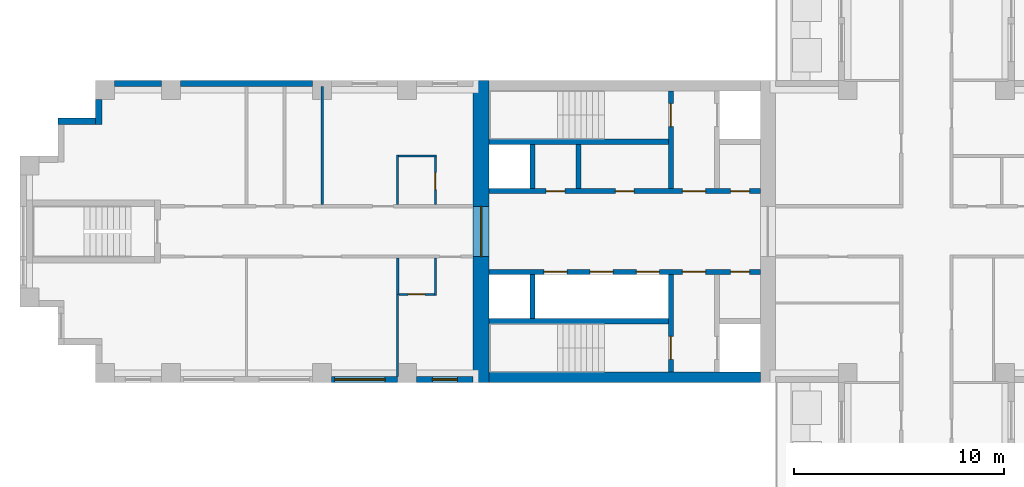
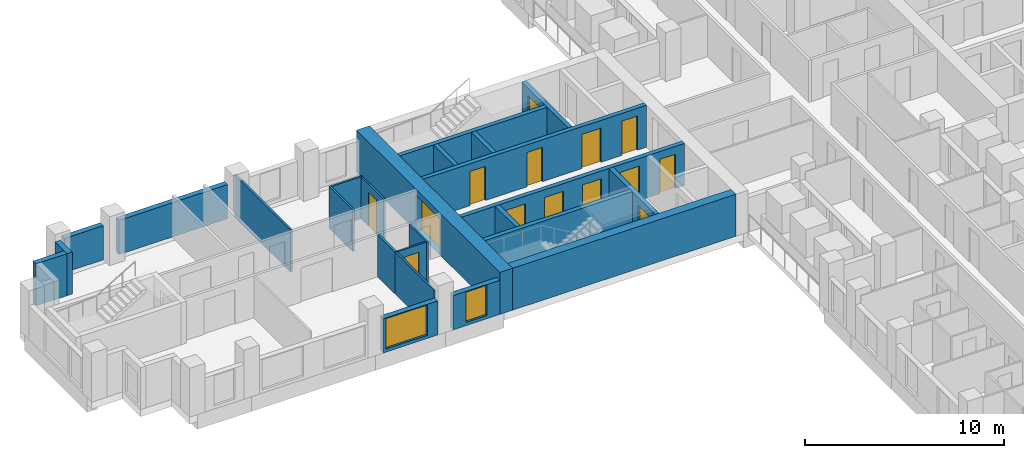
# One storey, part 6 of 13: 25 walls, 14 doors, 2 windows, 16 openings.
"""IFC4 building model written with IfcOpenShell, lengths in metres."""

from ifc_helpers import new_model, si_unit, direction, frame, frame_2d, origin, place, context, subcontext, project, spatial, rectangle, extrude, material, layer, layer_set, type_object, element, fill, save


model = new_model("IFC4")

# Units and contexts
model_context = context("Model", 3, precision=1e-05, world=origin(), true_north=direction((0.0, 1.0)))
body_context = subcontext(model_context, "Body", "Model", "MODEL_VIEW")
ifc_project = project(units=[si_unit("LENGTHUNIT", "METRE"), si_unit("AREAUNIT", "SQUARE_METRE"), si_unit("VOLUMEUNIT", "CUBIC_METRE"), si_unit("PLANEANGLEUNIT", "RADIAN"), si_unit("MASSUNIT", "GRAM", prefix="KILO")], contexts=[model_context])

# Site, building, storey
site_placement = place(None, origin())
site = spatial("IfcSite", under=ifc_project, at=site_placement, CompositionType="ELEMENT")
building_placement = place(site_placement, origin())
building = spatial("IfcBuilding", under=site, at=building_placement, Name="Fustian Cross Tower", CompositionType="ELEMENT")
storey_placement = place(building_placement, frame((0.0, 0.0, 87.89990234375)))
storey = spatial("IfcBuildingStorey", under=building, at=storey_placement, Name="L27", CompositionType="ELEMENT", Elevation=87.89990234375)

# Wall, opening, door
ifc_material_1 = material(Name="Concrete C70/85", Category="concrete")
ifc_layer_1 = layer(ifc_material_1, 0.75)
ifc_layer_set_1 = layer_set([ifc_layer_1], Name="Concrete C70/85")
wall_type_1 = type_object("IfcWallType", Name="CORE END WALL 750 C70/85", PredefinedType="SHEAR", material=ifc_layer_set_1)
wall_1_placement = place(storey_placement, frame((-21.22509765625, -7.199951171875, 0.0), z_axis=(0.0, 0.0, 1.0), x_axis=(0.0, 1.0, 0.0)))
wall_1 = element("IfcWall", 1, at=wall_1_placement, inside=storey, type_object=wall_type_1, Name="Core end wall", PredefinedType="SHEAR", context=body_context, shape_type="SweptSolid", body=[
    extrude(rectangle(XDim=14.39990234375, YDim=0.75, at=frame_2d((7.199951171875, 0.0))), origin(), (0.0, 0.0, 1.0), 2.5751953125),
])
opening_1_placement = place(wall_1_placement, frame((6.0, 0.0, 0.0)))
opening_1 = element("IfcOpeningElement", 2, at=opening_1_placement, cuts=wall_1, Name="Opening CD-11-28", PredefinedType="OPENING", context=body_context, shape_type="SweptSolid", body=[
    extrude(rectangle(XDim=2.39990234375, YDim=2.199951171875, at=frame_2d((1.199951171875, 1.10009765625))), frame((0.0, 0.385009765625, 0.0), z_axis=(0.0, -1.0, 0.0), x_axis=(1.0, 0.0, 0.0)), (0.0, 0.0, 1.0), 0.77001953125),
])
ifc_material_2 = material(Name="Steel", Category="steel")
door_type_1 = type_object("IfcDoorType", Name="FIRE DOOR FD30S DOUBLE 2400X2200", OperationType="DOUBLE_DOOR_DOUBLE_SWING", PredefinedType="DOOR", material=ifc_material_2)
door_1_placement = place(opening_1_placement, frame((2.39990234375, 0.0, 0.0), z_axis=(0.0, 0.0, 1.0), x_axis=(-1.0, 0.0, 0.0)))
door_1 = element("IfcDoor", 3, at=door_1_placement, inside=storey, type_object=door_type_1, Name="Core door CD-11-28", OperationType="DOUBLE_DOOR_DOUBLE_SWING", OverallHeight=2.199951171875, OverallWidth=2.39990234375, PredefinedType="DOOR", context=body_context, shape_type="SweptSolid", body=[
    extrude(rectangle(XDim=2.39990234375, YDim=2.199951171875, at=frame_2d((1.199951171875, 1.10009765625))), frame((0.0, 0.02490234375, 0.0), z_axis=(0.0, -1.0, 0.0), x_axis=(1.0, 0.0, 0.0)), (0.0, 0.0, 1.0), 0.050048828125),
])
fill(opening_1, door_1)

# Wall
ifc_material_3 = material(Name="Concrete C70/85", Category="concrete")
ifc_layer_2 = layer(ifc_material_3, 0.5)
ifc_layer_set_2 = layer_set([ifc_layer_2], Name="Concrete C70/85")
wall_type_2 = type_object("IfcWallType", Name="CORE FACADE WALL 500 C70/85", PredefinedType="SHEAR", material=ifc_layer_set_2)
wall_2_placement = place(storey_placement, frame((-7.89990234375, -6.949951171875, 0.0), z_axis=(0.0, 0.0, 1.0), x_axis=(-1.0, 0.0, 0.0)))
element("IfcWall", 4, at=wall_2_placement, inside=storey, type_object=wall_type_2, Name="Core facade wall", PredefinedType="SHEAR", context=body_context, shape_type="SweptSolid", body=[
    extrude(rectangle(XDim=12.9501953125, YDim=0.5, at=frame_2d((6.47509765625, 0.0))), origin(), (0.0, 0.0, 1.0), 2.5751953125),
])

# Wall, openings, doors
ifc_material_4 = material(Name="Concrete C50/60", Category="concrete")
ifc_layer_3 = layer(ifc_material_4, 0.25)
ifc_layer_set_3 = layer_set([ifc_layer_3], Name="Concrete C50/60")
wall_type_3 = type_object("IfcWallType", Name="CORE LOBBY WALL 250 C50/60", PredefinedType="SHEAR", material=ifc_layer_set_3)
wall_3_placement = place(storey_placement, frame((-7.89990234375, 1.925048828125, 0.0), z_axis=(0.0, 0.0, 1.0), x_axis=(-1.0, 0.0, 0.0)))
wall_3 = element("IfcWall", 5, at=wall_3_placement, inside=storey, type_object=wall_type_3, Name="Core lobby wall", PredefinedType="SHEAR", context=body_context, shape_type="SweptSolid", body=[
    extrude(rectangle(XDim=12.9501953125, YDim=0.25, at=frame_2d((6.47509765625, 0.0))), origin(), (0.0, 0.0, 1.0), 2.5751953125),
])
opening_2_placement = place(wall_3_placement, frame((0.52490234375, 0.0, 0.0)))
opening_2 = element("IfcOpeningElement", 6, at=opening_2_placement, cuts=wall_3, Name="Opening CD-11-23", PredefinedType="OPENING", context=body_context, shape_type="SweptSolid", body=[
    extrude(rectangle(XDim=0.89990234375, YDim=2.10009765625, at=frame_2d((0.449951171875, 1.050048828125))), frame((0.0, 0.135009765625, 0.0), z_axis=(0.0, -1.0, 0.0), x_axis=(1.0, 0.0, 0.0)), (0.0, 0.0, 1.0), 0.27001953125),
])
opening_3_placement = place(wall_3_placement, frame((2.625, 0.0, 0.0)))
opening_3 = element("IfcOpeningElement", 7, at=opening_3_placement, cuts=wall_3, Name="Opening CD-11-25", PredefinedType="OPENING", context=body_context, shape_type="SweptSolid", body=[
    extrude(rectangle(XDim=1.10009765625, YDim=2.10009765625, at=frame_2d((0.550048828125, 1.050048828125))), frame((0.0, 0.135009765625, 0.0), z_axis=(0.0, -1.0, 0.0), x_axis=(1.0, 0.0, 0.0)), (0.0, 0.0, 1.0), 0.27001953125),
])
opening_4_placement = place(wall_3_placement, frame((6.02490234375, 0.0, 0.0)))
opening_4 = element("IfcOpeningElement", 8, at=opening_4_placement, cuts=wall_3, Name="Opening CD-11-29", PredefinedType="OPENING", context=body_context, shape_type="SweptSolid", body=[
    extrude(rectangle(XDim=0.89990234375, YDim=2.10009765625, at=frame_2d((0.449951171875, 1.050048828125))), frame((0.0, 0.135009765625, 0.0), z_axis=(0.0, -1.0, 0.0), x_axis=(1.0, 0.0, 0.0)), (0.0, 0.0, 1.0), 0.27001953125),
])
opening_5_placement = place(wall_3_placement, frame((9.324951171875, 0.0, 0.0)))
opening_5 = element("IfcOpeningElement", 9, at=opening_5_placement, cuts=wall_3, Name="Opening CD-11-30", PredefinedType="OPENING", context=body_context, shape_type="SweptSolid", body=[
    extrude(rectangle(XDim=0.89990234375, YDim=2.10009765625, at=frame_2d((0.449951171875, 1.050048828125))), frame((0.0, 0.135009765625, 0.0), z_axis=(0.0, -1.0, 0.0), x_axis=(1.0, 0.0, 0.0)), (0.0, 0.0, 1.0), 0.27001953125),
])
ifc_material_5 = material(Name="Steel", Category="steel")
door_type_2 = type_object("IfcDoorType", Name="FIRE DOOR FD30S 900X2100", OperationType="SINGLE_SWING_LEFT", PredefinedType="DOOR", material=ifc_material_5)
door_2_placement = place(opening_4_placement, frame((0.89990234375, 0.0, 0.0), z_axis=(0.0, 0.0, 1.0), x_axis=(-1.0, 0.0, 0.0)))
door_2 = element("IfcDoor", 10, at=door_2_placement, inside=storey, type_object=door_type_2, Name="Core door CD-11-29", OperationType="SINGLE_SWING_LEFT", OverallHeight=2.10009765625, OverallWidth=0.89990234375, PredefinedType="DOOR", context=body_context, shape_type="SweptSolid", body=[
    extrude(rectangle(XDim=0.89990234375, YDim=2.10009765625, at=frame_2d((0.449951171875, 1.050048828125))), frame((0.0, 0.02490234375, 0.0), z_axis=(0.0, -1.0, 0.0), x_axis=(1.0, 0.0, 0.0)), (0.0, 0.0, 1.0), 0.050048828125),
])
fill(opening_4, door_2)
door_3_placement = place(opening_5_placement, frame((0.89990234375, 0.0, 0.0), z_axis=(0.0, 0.0, 1.0), x_axis=(-1.0, 0.0, 0.0)))
door_3 = element("IfcDoor", 11, at=door_3_placement, inside=storey, type_object=door_type_2, Name="Core door CD-11-30", OperationType="SINGLE_SWING_RIGHT", OverallHeight=2.10009765625, OverallWidth=0.89990234375, PredefinedType="DOOR", context=body_context, shape_type="SweptSolid", body=[
    extrude(rectangle(XDim=0.89990234375, YDim=2.10009765625, at=frame_2d((0.449951171875, 1.050048828125))), frame((0.0, 0.02490234375, 0.0), z_axis=(0.0, -1.0, 0.0), x_axis=(1.0, 0.0, 0.0)), (0.0, 0.0, 1.0), 0.050048828125),
])
fill(opening_5, door_3)
ifc_material_6 = material(Name="Steel", Category="steel")
door_type_3 = type_object("IfcDoorType", Name="FIRE DOOR FD60S 1100X2100", OperationType="SINGLE_SWING_LEFT", PredefinedType="DOOR", material=ifc_material_6)
door_4_placement = place(opening_3_placement, frame((1.10009765625, 0.0, 0.0), z_axis=(0.0, 0.0, 1.0), x_axis=(-1.0, 0.0, 0.0)))
door_4 = element("IfcDoor", 12, at=door_4_placement, inside=storey, type_object=door_type_3, Name="Core door CD-11-25", OperationType="SINGLE_SWING_RIGHT", OverallHeight=2.10009765625, OverallWidth=1.10009765625, PredefinedType="DOOR", context=body_context, shape_type="SweptSolid", body=[
    extrude(rectangle(XDim=1.10009765625, YDim=2.10009765625, at=frame_2d((0.550048828125, 1.050048828125))), frame((0.0, 0.02490234375, 0.0), z_axis=(0.0, -1.0, 0.0), x_axis=(1.0, 0.0, 0.0)), (0.0, 0.0, 1.0), 0.050048828125),
])
fill(opening_3, door_4)
ifc_material_7 = material(Name="Steel", Category="steel")
door_type_4 = type_object("IfcDoorType", Name="FIRE DOOR FD60S 900X2100", OperationType="SINGLE_SWING_LEFT", PredefinedType="DOOR", material=ifc_material_7)
door_5_placement = place(opening_2_placement, frame((0.89990234375, 0.0, 0.0), z_axis=(0.0, 0.0, 1.0), x_axis=(-1.0, 0.0, 0.0)))
door_5 = element("IfcDoor", 13, at=door_5_placement, inside=storey, type_object=door_type_4, Name="Core door CD-11-23", OperationType="SINGLE_SWING_RIGHT", OverallHeight=2.10009765625, OverallWidth=0.89990234375, PredefinedType="DOOR", context=body_context, shape_type="SweptSolid", body=[
    extrude(rectangle(XDim=0.89990234375, YDim=2.10009765625, at=frame_2d((0.449951171875, 1.050048828125))), frame((0.0, 0.02490234375, 0.0), z_axis=(0.0, -1.0, 0.0), x_axis=(1.0, 0.0, 0.0)), (0.0, 0.0, 1.0), 0.050048828125),
])
fill(opening_2, door_5)

wall_4_placement = place(storey_placement, frame((-7.89990234375, -1.925048828125, 0.0), z_axis=(0.0, 0.0, 1.0), x_axis=(-1.0, 0.0, 0.0)))
wall_4 = element("IfcWall", 14, at=wall_4_placement, inside=storey, type_object=wall_type_3, Name="Core lobby wall", PredefinedType="SHEAR", context=body_context, shape_type="SweptSolid", body=[
    extrude(rectangle(XDim=12.9501953125, YDim=0.25, at=frame_2d((6.47509765625, 0.0))), origin(), (0.0, 0.0, 1.0), 2.5751953125),
])
opening_6_placement = place(wall_4_placement, frame((4.824951171875, 0.0, 0.0)))
opening_6 = element("IfcOpeningElement", 15, at=opening_6_placement, cuts=wall_4, Name="Opening LD", PredefinedType="OPENING", context=body_context, shape_type="SweptSolid", body=[
    extrude(rectangle(XDim=1.10009765625, YDim=2.10009765625, at=frame_2d((0.550048828125, 1.050048828125))), frame((0.0, 0.135009765625, 0.0), z_axis=(0.0, -1.0, 0.0), x_axis=(1.0, 0.0, 0.0)), (0.0, 0.0, 1.0), 0.27001953125),
])
opening_7_placement = place(wall_4_placement, frame((7.02490234375, 0.0, 0.0)))
opening_7 = element("IfcOpeningElement", 16, at=opening_7_placement, cuts=wall_4, Name="Opening LD", PredefinedType="OPENING", context=body_context, shape_type="SweptSolid", body=[
    extrude(rectangle(XDim=1.10009765625, YDim=2.10009765625, at=frame_2d((0.550048828125, 1.050048828125))), frame((0.0, 0.135009765625, 0.0), z_axis=(0.0, -1.0, 0.0), x_axis=(1.0, 0.0, 0.0)), (0.0, 0.0, 1.0), 0.27001953125),
])
opening_8_placement = place(wall_4_placement, frame((9.22509765625, 0.0, 0.0)))
opening_8 = element("IfcOpeningElement", 17, at=opening_8_placement, cuts=wall_4, Name="Opening LD", PredefinedType="OPENING", context=body_context, shape_type="SweptSolid", body=[
    extrude(rectangle(XDim=1.10009765625, YDim=2.10009765625, at=frame_2d((0.550048828125, 1.050048828125))), frame((0.0, 0.135009765625, 0.0), z_axis=(0.0, -1.0, 0.0), x_axis=(1.0, 0.0, 0.0)), (0.0, 0.0, 1.0), 0.27001953125),
])
opening_9_placement = place(wall_4_placement, frame((0.52490234375, 0.0, 0.0)))
opening_9 = element("IfcOpeningElement", 18, at=opening_9_placement, cuts=wall_4, Name="Opening CD-11-24", PredefinedType="OPENING", context=body_context, shape_type="SweptSolid", body=[
    extrude(rectangle(XDim=0.89990234375, YDim=2.10009765625, at=frame_2d((0.449951171875, 1.050048828125))), frame((0.0, 0.135009765625, 0.0), z_axis=(0.0, -1.0, 0.0), x_axis=(1.0, 0.0, 0.0)), (0.0, 0.0, 1.0), 0.27001953125),
])
opening_10_placement = place(wall_4_placement, frame((2.625, 0.0, 0.0)))
opening_10 = element("IfcOpeningElement", 19, at=opening_10_placement, cuts=wall_4, Name="Opening CD-11-26", PredefinedType="OPENING", context=body_context, shape_type="SweptSolid", body=[
    extrude(rectangle(XDim=1.10009765625, YDim=2.10009765625, at=frame_2d((0.550048828125, 1.050048828125))), frame((0.0, 0.135009765625, 0.0), z_axis=(0.0, -1.0, 0.0), x_axis=(1.0, 0.0, 0.0)), (0.0, 0.0, 1.0), 0.27001953125),
])
ifc_material_8 = material(Name="Steel", Category="steel")
door_type_5 = type_object("IfcDoorType", Name="FIRE DOOR FD30S 1100X2100", OperationType="SINGLE_SWING_LEFT", PredefinedType="DOOR", material=ifc_material_8)
door_6_placement = place(opening_10_placement, frame((1.10009765625, 0.0, 0.0), z_axis=(0.0, 0.0, 1.0), x_axis=(-1.0, 0.0, 0.0)))
door_6 = element("IfcDoor", 20, at=door_6_placement, inside=storey, type_object=door_type_5, Name="Core door CD-11-26", OperationType="SINGLE_SWING_RIGHT", OverallHeight=2.10009765625, OverallWidth=1.10009765625, PredefinedType="DOOR", context=body_context, shape_type="SweptSolid", body=[
    extrude(rectangle(XDim=1.10009765625, YDim=2.10009765625, at=frame_2d((0.550048828125, 1.050048828125))), frame((0.0, 0.02490234375, 0.0), z_axis=(0.0, -1.0, 0.0), x_axis=(1.0, 0.0, 0.0)), (0.0, 0.0, 1.0), 0.050048828125),
])
fill(opening_10, door_6)
door_7_placement = place(opening_9_placement, origin())
door_7 = element("IfcDoor", 21, at=door_7_placement, inside=storey, type_object=door_type_2, Name="Core door CD-11-24", OperationType="SINGLE_SWING_LEFT", OverallHeight=2.10009765625, OverallWidth=0.89990234375, PredefinedType="DOOR", context=body_context, shape_type="SweptSolid", body=[
    extrude(rectangle(XDim=0.89990234375, YDim=2.10009765625, at=frame_2d((0.449951171875, 1.050048828125))), frame((0.0, 0.02490234375, 0.0), z_axis=(0.0, -1.0, 0.0), x_axis=(1.0, 0.0, 0.0)), (0.0, 0.0, 1.0), 0.050048828125),
])
fill(opening_9, door_7)
ifc_material_9 = material(Name="Stainless steel", Category="steel")
door_type_6 = type_object("IfcDoorType", Name="LIFT LANDING DOOR 1100X2100", OperationType="SLIDING_TO_LEFT", PredefinedType="DOOR", material=ifc_material_9)
door_8_placement = place(opening_6_placement, origin())
door_8 = element("IfcDoor", 22, at=door_8_placement, inside=storey, type_object=door_type_6, Name="Landing door LR1W", OperationType="SLIDING_TO_LEFT", OverallHeight=2.10009765625, OverallWidth=1.10009765625, PredefinedType="DOOR", context=body_context, shape_type="SweptSolid", body=[
    extrude(rectangle(XDim=1.10009765625, YDim=2.10009765625, at=frame_2d((0.550048828125, 1.050048828125))), frame((0.0, 0.02490234375, 0.0), z_axis=(0.0, -1.0, 0.0), x_axis=(1.0, 0.0, 0.0)), (0.0, 0.0, 1.0), 0.050048828125),
])
fill(opening_6, door_8)
door_9_placement = place(opening_7_placement, origin())
door_9 = element("IfcDoor", 23, at=door_9_placement, inside=storey, type_object=door_type_6, Name="Landing door LR2W", OperationType="SLIDING_TO_LEFT", OverallHeight=2.10009765625, OverallWidth=1.10009765625, PredefinedType="DOOR", context=body_context, shape_type="SweptSolid", body=[
    extrude(rectangle(XDim=1.10009765625, YDim=2.10009765625, at=frame_2d((0.550048828125, 1.050048828125))), frame((0.0, 0.02490234375, 0.0), z_axis=(0.0, -1.0, 0.0), x_axis=(1.0, 0.0, 0.0)), (0.0, 0.0, 1.0), 0.050048828125),
])
fill(opening_7, door_9)
door_10_placement = place(opening_8_placement, origin())
door_10 = element("IfcDoor", 24, at=door_10_placement, inside=storey, type_object=door_type_6, Name="Landing door LR3W", OperationType="SLIDING_TO_LEFT", OverallHeight=2.10009765625, OverallWidth=1.10009765625, PredefinedType="DOOR", context=body_context, shape_type="SweptSolid", body=[
    extrude(rectangle(XDim=1.10009765625, YDim=2.10009765625, at=frame_2d((0.550048828125, 1.050048828125))), frame((0.0, 0.02490234375, 0.0), z_axis=(0.0, -1.0, 0.0), x_axis=(1.0, 0.0, 0.0)), (0.0, 0.0, 1.0), 0.050048828125),
])
fill(opening_8, door_10)

# Wall
ifc_material_10 = material(Name="Concrete C50/60", Category="concrete")
ifc_layer_4 = layer(ifc_material_10, 0.25)
ifc_layer_set_4 = layer_set([ifc_layer_4], Name="Concrete C50/60")
wall_type_4 = type_object("IfcWallType", Name="CORE SHAFT WALL 250 C50/60", PredefinedType="SHEAR", material=ifc_layer_set_4)
wall_5_placement = place(storey_placement, frame((-12.300048828125, 4.27490234375, 0.0), z_axis=(0.0, 0.0, 1.0), x_axis=(-1.0, 0.0, 0.0)))
element("IfcWall", 25, at=wall_5_placement, inside=storey, type_object=wall_type_4, Name="Core shaft wall", PredefinedType="SHEAR", context=body_context, shape_type="SweptSolid", body=[
    extrude(rectangle(XDim=8.550048828125, YDim=0.25, at=frame_2d((4.27490234375, 0.0))), origin(), (0.0, 0.0, 1.0), 2.5751953125),
])

# Wall, opening, door
wall_6_placement = place(storey_placement, frame((-12.175048828125, 2.050048828125, 0.0), z_axis=(0.0, 0.0, 1.0), x_axis=(0.0, 1.0, 0.0)))
wall_6 = element("IfcWall", 26, at=wall_6_placement, inside=storey, type_object=wall_type_4, Name="Core shaft wall", PredefinedType="SHEAR", context=body_context, shape_type="SweptSolid", body=[
    extrude(rectangle(XDim=4.64990234375, YDim=0.25, at=frame_2d((2.324951171875, 0.0))), origin(), (0.0, 0.0, 1.0), 2.5751953125),
])
opening_11_placement = place(wall_6_placement, frame((2.949951171875, 0.0, 0.0)))
opening_11 = element("IfcOpeningElement", 27, at=opening_11_placement, cuts=wall_6, Name="Opening CD-11-21", PredefinedType="OPENING", context=body_context, shape_type="SweptSolid", body=[
    extrude(rectangle(XDim=1.10009765625, YDim=2.10009765625, at=frame_2d((0.550048828125, 1.050048828125))), frame((0.0, 0.135009765625, 0.0), z_axis=(0.0, -1.0, 0.0), x_axis=(1.0, 0.0, 0.0)), (0.0, 0.0, 1.0), 0.27001953125),
])
door_11_placement = place(opening_11_placement, origin())
door_11 = element("IfcDoor", 28, at=door_11_placement, inside=storey, type_object=door_type_3, Name="Core door CD-11-21", OperationType="SINGLE_SWING_LEFT", OverallHeight=2.10009765625, OverallWidth=1.10009765625, PredefinedType="DOOR", context=body_context, shape_type="SweptSolid", body=[
    extrude(rectangle(XDim=1.10009765625, YDim=2.10009765625, at=frame_2d((0.550048828125, 1.050048828125))), frame((0.0, 0.02490234375, 0.0), z_axis=(0.0, -1.0, 0.0), x_axis=(1.0, 0.0, 0.0)), (0.0, 0.0, 1.0), 0.050048828125),
])
fill(opening_11, door_11)

# Wall
wall_7_placement = place(storey_placement, frame((-12.300048828125, -4.27490234375, 0.0), z_axis=(0.0, 0.0, 1.0), x_axis=(-1.0, 0.0, 0.0)))
element("IfcWall", 29, at=wall_7_placement, inside=storey, type_object=wall_type_4, Name="Core shaft wall", PredefinedType="SHEAR", context=body_context, shape_type="SweptSolid", body=[
    extrude(rectangle(XDim=8.550048828125, YDim=0.25, at=frame_2d((4.27490234375, 0.0))), origin(), (0.0, 0.0, 1.0), 2.5751953125),
])

# Wall, opening, door
wall_8_placement = place(storey_placement, frame((-12.175048828125, -2.050048828125, 0.0), z_axis=(0.0, 0.0, 1.0), x_axis=(0.0, -1.0, 0.0)))
wall_8 = element("IfcWall", 30, at=wall_8_placement, inside=storey, type_object=wall_type_4, Name="Core shaft wall", PredefinedType="SHEAR", context=body_context, shape_type="SweptSolid", body=[
    extrude(rectangle(XDim=4.64990234375, YDim=0.25, at=frame_2d((2.324951171875, 0.0))), origin(), (0.0, 0.0, 1.0), 2.5751953125),
])
opening_12_placement = place(wall_8_placement, frame((2.949951171875, 0.0, 0.0)))
opening_12 = element("IfcOpeningElement", 31, at=opening_12_placement, cuts=wall_8, Name="Opening CD-11-22", PredefinedType="OPENING", context=body_context, shape_type="SweptSolid", body=[
    extrude(rectangle(XDim=1.10009765625, YDim=2.10009765625, at=frame_2d((0.550048828125, 1.050048828125))), frame((0.0, 0.135009765625, 0.0), z_axis=(0.0, -1.0, 0.0), x_axis=(1.0, 0.0, 0.0)), (0.0, 0.0, 1.0), 0.27001953125),
])
door_12_placement = place(opening_12_placement, frame((1.10009765625, 0.0, 0.0), z_axis=(0.0, 0.0, 1.0), x_axis=(-1.0, 0.0, 0.0)))
door_12 = element("IfcDoor", 32, at=door_12_placement, inside=storey, type_object=door_type_3, Name="Core door CD-11-22", OperationType="SINGLE_SWING_RIGHT", OverallHeight=2.10009765625, OverallWidth=1.10009765625, PredefinedType="DOOR", context=body_context, shape_type="SweptSolid", body=[
    extrude(rectangle(XDim=1.10009765625, YDim=2.10009765625, at=frame_2d((0.550048828125, 1.050048828125))), frame((0.0, 0.02490234375, 0.0), z_axis=(0.0, -1.0, 0.0), x_axis=(1.0, 0.0, 0.0)), (0.0, 0.0, 1.0), 0.050048828125),
])
fill(opening_12, door_12)

# Wall
ifc_material_11 = material(Name="Plasterboard on steel stud", Category="steel")
ifc_layer_5 = layer(ifc_material_11, 0.10009765625)
ifc_layer_set_5 = layer_set([ifc_layer_5], Name="Plasterboard on steel stud")
wall_type_5 = type_object("IfcWallType", Name="PARTITION 100 STUD", PredefinedType="PARTITIONING", material=ifc_layer_set_5)
wall_9_placement = place(storey_placement, frame((-25.199951171875, -6.89990234375, 0.0), z_axis=(0.0, 0.0, 1.0), x_axis=(0.0, 1.0, 0.0)))
element("IfcWall", 33, at=wall_9_placement, inside=storey, type_object=wall_type_5, Name="Partition 7", PredefinedType="PARTITIONING", context=body_context, shape_type="SweptSolid", body=[
    extrude(rectangle(XDim=3.89990234375, YDim=0.10009765625, at=frame_2d((1.949951171875, 0.0))), origin(), (0.0, 0.0, 1.0), 2.5751953125),
])

# Wall, opening, door
wall_10_placement = place(storey_placement, frame((-25.137451171875, -3.0, 0.0), z_axis=(0.0, 0.0, 1.0), x_axis=(1.0, 0.0, 0.0)))
wall_10 = element("IfcWall", 34, at=wall_10_placement, inside=storey, type_object=wall_type_5, Name="Partition 9", PredefinedType="PARTITIONING", context=body_context, shape_type="SweptSolid", body=[
    extrude(rectangle(XDim=1.6875, YDim=0.10009765625, at=frame_2d((0.84375, 0.0))), origin(), (0.0, 0.0, 1.0), 2.5751953125),
])
opening_13_placement = place(wall_10_placement, frame((0.4375, 0.0, 0.0)))
opening_13 = element("IfcOpeningElement", 35, at=opening_13_placement, cuts=wall_10, Name="Opening D13023", PredefinedType="OPENING", context=body_context, shape_type="SweptSolid", body=[
    extrude(rectangle(XDim=0.800048828125, YDim=2.10009765625, at=frame_2d((0.39990234375, 1.050048828125))), frame((0.0, 0.06005859375, 0.0), z_axis=(0.0, -1.0, 0.0), x_axis=(1.0, 0.0, 0.0)), (0.0, 0.0, 1.0), 0.1201171875),
])
ifc_material_12 = material(Name="Painted timber", Category="wood")
door_type_7 = type_object("IfcDoorType", Name="SWING DOOR 800", OperationType="SINGLE_SWING_LEFT", PredefinedType="DOOR", material=ifc_material_12)
door_13_placement = place(opening_13_placement, origin())
door_13 = element("IfcDoor", 36, at=door_13_placement, inside=storey, type_object=door_type_7, Name="Door D13023", OperationType="SINGLE_SWING_RIGHT", OverallHeight=2.10009765625, OverallWidth=0.800048828125, PredefinedType="DOOR", context=body_context, shape_type="SweptSolid", body=[
    extrude(rectangle(XDim=0.800048828125, YDim=2.10009765625, at=frame_2d((0.39990234375, 1.050048828125))), frame((0.0, 0.02490234375, 0.0), z_axis=(0.0, -1.0, 0.0), x_axis=(1.0, 0.0, 0.0)), (0.0, 0.0, 1.0), 0.050048828125),
])
fill(opening_13, door_13)

# Walls
wall_11_placement = place(storey_placement, frame((-25.199951171875, 1.27490234375, 0.0), z_axis=(0.0, 0.0, 1.0), x_axis=(0.0, 1.0, 0.0)))
element("IfcWall", 37, at=wall_11_placement, inside=storey, type_object=wall_type_5, Name="Partition 10", PredefinedType="PARTITIONING", context=body_context, shape_type="SweptSolid", body=[
    extrude(rectangle(XDim=2.375, YDim=0.10009765625, at=frame_2d((1.1875, 0.0))), origin(), (0.0, 0.0, 1.0), 2.5751953125),
])
wall_12_placement = place(storey_placement, frame((-25.14990234375, 3.60009765625, 0.0), z_axis=(0.0, 0.0, 1.0), x_axis=(1.0, 0.0, 0.0)))
element("IfcWall", 38, at=wall_12_placement, inside=storey, type_object=wall_type_5, Name="Partition 11", PredefinedType="PARTITIONING", context=body_context, shape_type="SweptSolid", body=[
    extrude(rectangle(XDim=1.7998046875, YDim=0.10009765625, at=frame_2d((0.89990234375, 0.0))), origin(), (0.0, 0.0, 1.0), 2.5751953125),
])
wall_13_placement = place(storey_placement, frame((-23.39990234375, -3.050048828125, 0.0), z_axis=(0.0, 0.0, 1.0), x_axis=(0.0, 1.0, 0.0)))
element("IfcWall", 39, at=wall_13_placement, inside=storey, type_object=wall_type_5, Name="Partition 12", PredefinedType="PARTITIONING", context=body_context, shape_type="SweptSolid", body=[
    extrude(rectangle(XDim=1.775146484375, YDim=0.10009765625, at=frame_2d((0.8876953125, 0.0))), origin(), (0.0, 0.0, 1.0), 2.5751953125),
])

# Wall, opening, door
wall_14_placement = place(storey_placement, frame((-23.39990234375, 1.27490234375, 0.0), z_axis=(0.0, 0.0, 1.0), x_axis=(0.0, 1.0, 0.0)))
wall_14 = element("IfcWall", 40, at=wall_14_placement, inside=storey, type_object=wall_type_5, Name="Partition 13", PredefinedType="PARTITIONING", context=body_context, shape_type="SweptSolid", body=[
    extrude(rectangle(XDim=2.275146484375, YDim=0.10009765625, at=frame_2d((1.1376953125, 0.0))), origin(), (0.0, 0.0, 1.0), 2.5751953125),
])
opening_14_placement = place(wall_14_placement, frame((0.72509765625, 0.0, 0.0)))
opening_14 = element("IfcOpeningElement", 41, at=opening_14_placement, cuts=wall_14, Name="Opening D13027", PredefinedType="OPENING", context=body_context, shape_type="SweptSolid", body=[
    extrude(rectangle(XDim=0.800048828125, YDim=2.10009765625, at=frame_2d((0.39990234375, 1.050048828125))), frame((0.0, 0.06005859375, 0.0), z_axis=(0.0, -1.0, 0.0), x_axis=(1.0, 0.0, 0.0)), (0.0, 0.0, 1.0), 0.1201171875),
])
door_14_placement = place(opening_14_placement, origin())
door_14 = element("IfcDoor", 42, at=door_14_placement, inside=storey, type_object=door_type_7, Name="Door D13027", OperationType="SINGLE_SWING_LEFT", OverallHeight=2.10009765625, OverallWidth=0.800048828125, PredefinedType="DOOR", context=body_context, shape_type="SweptSolid", body=[
    extrude(rectangle(XDim=0.800048828125, YDim=2.10009765625, at=frame_2d((0.39990234375, 1.050048828125))), frame((0.0, 0.02490234375, 0.0), z_axis=(0.0, -1.0, 0.0), x_axis=(1.0, 0.0, 0.0)), (0.0, 0.0, 1.0), 0.050048828125),
])
fill(opening_14, door_14)

# Walls
ifc_material_13 = material(Name="Concrete C40/50", Category="concrete")
ifc_layer_6 = layer(ifc_material_13, 0.25)
ifc_layer_set_6 = layer_set([ifc_layer_6], Name="Concrete C40/50")
wall_type_6 = type_object("IfcWallType", Name="SHAFT PARTITION WALL 250 C40/50", PredefinedType="PARTITIONING", material=ifc_layer_set_6)
for number, where, z_axis, x_axis, name in (
    (43, (-16.574951171875, 2.050048828125, 0.0), (0.0, 0.0, 1.0), (0.0, 1.0, 0.0), "Core shaft wall"),
    (44, (-18.77490234375, 2.050048828125, 0.0), (0.0, 0.0, 1.0), (0.0, 1.0, 0.0), "Core shaft wall"),
    (45, (-18.77490234375, -2.050048828125, 0.0), (0.0, 0.0, 1.0), (0.0, -1.0, 0.0), "Core shaft wall"),
):
    element("IfcWall", number, at=place(storey_placement, frame(where, z_axis=z_axis, x_axis=x_axis)), inside=storey, type_object=wall_type_6, Name=name, PredefinedType="PARTITIONING", context=body_context, shape_type="SweptSolid", body=[
        extrude(rectangle(XDim=2.099853515625, YDim=0.25, at=frame_2d((1.0498046875, 0.0))), origin(), (0.0, 0.0, 1.0), 2.5751953125),
    ])
ifc_material_14 = material(Name="Plasterboard on steel stud", Category="steel")
ifc_layer_7 = layer(ifc_material_14, 0.125)
ifc_layer_set_7 = layer_set([ifc_layer_7], Name="Plasterboard on steel stud")
wall_type_7 = type_object("IfcWallType", Name="WET WALL 125 STUD", PredefinedType="PARTITIONING", material=ifc_layer_set_7)
wall_15_placement = place(storey_placement, frame((-28.800048828125, 1.27490234375, 0.0), z_axis=(0.0, 0.0, 1.0), x_axis=(0.0, 1.0, 0.0)))
element("IfcWall", 46, at=wall_15_placement, inside=storey, type_object=wall_type_7, Name="Partition 6", PredefinedType="PARTITIONING", context=body_context, shape_type="SweptSolid", body=[
    extrude(rectangle(XDim=5.625, YDim=0.125, at=frame_2d((2.8125, 0.0))), origin(), (0.0, 0.0, 1.0), 2.5751953125),
])
wall_16_placement = place(storey_placement, frame((-25.199951171875, -3.0, 0.0), z_axis=(0.0, 0.0, 1.0), x_axis=(0.0, 1.0, 0.0)))
element("IfcWall", 47, at=wall_16_placement, inside=storey, type_object=wall_type_7, Name="Partition 8", PredefinedType="PARTITIONING", context=body_context, shape_type="SweptSolid", body=[
    extrude(rectangle(XDim=1.72509765625, YDim=0.125, at=frame_2d((0.862548828125, 0.0))), origin(), (0.0, 0.0, 1.0), 2.5751953125),
])
ifc_material_15 = material(Name="Dark aluminium cladding on insulated backing wall", Category="aluminium")
ifc_layer_8 = layer(ifc_material_15, 0.300048828125)
ifc_layer_set_8 = layer_set([ifc_layer_8], Name="Dark aluminium cladding on insulated backing wall")
wall_type_8 = type_object("IfcWallType", Name="XW1 EXTERNAL WALL 300", PredefinedType="SOLIDWALL", material=ifc_layer_set_8)
wall_17_placement = place(storey_placement, frame((-29.25, 7.050048828125, 0.0), z_axis=(0.0, 0.0, 1.0), x_axis=(-1.0, 0.0, 0.0)))
element("IfcWall", 48, at=wall_17_placement, inside=storey, type_object=wall_type_8, Name="External wall", PredefinedType="SOLIDWALL", context=body_context, shape_type="SweptSolid", body=[
    extrude(rectangle(XDim=6.300048828125, YDim=0.300048828125, at=frame_2d((3.14990234375, 0.0))), origin(), (0.0, 0.0, 1.0), 2.10009765625),
])
wall_18_placement = place(storey_placement, frame((-36.449951171875, 7.050048828125, 0.0), z_axis=(0.0, 0.0, 1.0), x_axis=(-1.0, 0.0, 0.0)))
element("IfcWall", 49, at=wall_18_placement, inside=storey, type_object=wall_type_8, Name="External wall", PredefinedType="SOLIDWALL", context=body_context, shape_type="SweptSolid", body=[
    extrude(rectangle(XDim=2.25, YDim=0.300048828125, at=frame_2d((1.125, 0.0))), origin(), (0.0, 0.0, 1.0), 2.10009765625),
])
wall_19_placement = place(storey_placement, frame((-39.449951171875, 6.300048828125, 0.0), z_axis=(0.0, 0.0, 1.0), x_axis=(0.0, -1.0, 0.0)))
element("IfcWall", 50, at=wall_19_placement, inside=storey, type_object=wall_type_8, Name="External wall", PredefinedType="SOLIDWALL", context=body_context, shape_type="SweptSolid", body=[
    extrude(rectangle(XDim=1.199951171875, YDim=0.300048828125, at=frame_2d((0.60009765625, 0.0))), origin(), (0.0, 0.0, 1.0), 2.5751953125),
])
wall_20_placement = place(storey_placement, frame((-39.60009765625, 5.25, 0.0), z_axis=(0.0, 0.0, 1.0), x_axis=(-1.0, 0.0, 0.0)))
element("IfcWall", 51, at=wall_20_placement, inside=storey, type_object=wall_type_8, Name="External wall", PredefinedType="SOLIDWALL", context=body_context, shape_type="SweptSolid", body=[
    extrude(rectangle(XDim=1.7998046875, YDim=0.300048828125, at=frame_2d((0.89990234375, 0.0))), origin(), (0.0, 0.0, 1.0), 2.5751953125),
])

# Wall, opening, window
wall_21_placement = place(storey_placement, frame((-28.35009765625, -7.050048828125, 0.0), z_axis=(0.0, 0.0, 1.0), x_axis=(1.0, 0.0, 0.0)))
wall_21 = element("IfcWall", 52, at=wall_21_placement, inside=storey, type_object=wall_type_8, Name="External wall", PredefinedType="SOLIDWALL", context=body_context, shape_type="SweptSolid", body=[
    extrude(rectangle(XDim=3.150146484375, YDim=0.300048828125, at=frame_2d((1.5751953125, 0.0))), origin(), (0.0, 0.0, 1.0), 2.10009765625),
])
opening_15_placement = place(wall_21_placement, frame((0.14990234375, 0.0, 0.199951171875)))
opening_15 = element("IfcOpeningElement", 53, at=opening_15_placement, cuts=wall_21, Name="Opening WN1", PredefinedType="OPENING", context=body_context, shape_type="SweptSolid", body=[
    extrude(rectangle(XDim=2.39990234375, YDim=1.85009765625, at=frame_2d((1.199951171875, 0.925048828125))), frame((0.0, 0.159912109375, 0.0), z_axis=(0.0, -1.0, 0.0), x_axis=(1.0, 0.0, 0.0)), (0.0, 0.0, 1.0), 0.320068359375),
])
ifc_material_16 = material(Name="Dark anodised aluminium and double glazing", Category="aluminium")
window_type_1 = type_object("IfcWindowType", Name="WN1 WINDOW 2400X1850", PartitioningType="SINGLE_PANEL", PredefinedType="WINDOW", material=ifc_material_16)
window_1_placement = place(opening_15_placement, origin())
window_1 = element("IfcWindow", 54, at=window_1_placement, inside=storey, type_object=window_type_1, Name="Window", OverallHeight=1.85009765625, OverallWidth=2.39990234375, PartitioningType="SINGLE_PANEL", PredefinedType="WINDOW", context=body_context, shape_type="SweptSolid", body=[
    extrude(rectangle(XDim=2.39990234375, YDim=1.85009765625, at=frame_2d((1.199951171875, 0.925048828125))), frame((0.0, 0.030029296875, 0.0), z_axis=(0.0, -1.0, 0.0), x_axis=(1.0, 0.0, 0.0)), (0.0, 0.0, 1.0), 0.06005859375),
])
fill(opening_15, window_1)

wall_22_placement = place(storey_placement, frame((-24.300048828125, -7.050048828125, 0.0), z_axis=(0.0, 0.0, 1.0), x_axis=(1.0, 0.0, 0.0)))
wall_22 = element("IfcWall", 55, at=wall_22_placement, inside=storey, type_object=wall_type_8, Name="External wall", PredefinedType="SOLIDWALL", context=body_context, shape_type="SweptSolid", body=[
    extrude(rectangle(XDim=2.699951171875, YDim=0.300048828125, at=frame_2d((1.35009765625, 0.0))), origin(), (0.0, 0.0, 1.0), 2.10009765625),
])
opening_16_placement = place(wall_22_placement, frame((0.75, 0.0, 0.199951171875)))
opening_16 = element("IfcOpeningElement", 56, at=opening_16_placement, cuts=wall_22, Name="Opening WN3", PredefinedType="OPENING", context=body_context, shape_type="SweptSolid", body=[
    extrude(rectangle(XDim=1.199951171875, YDim=1.85009765625, at=frame_2d((0.60009765625, 0.925048828125))), frame((0.0, 0.159912109375, 0.0), z_axis=(0.0, -1.0, 0.0), x_axis=(1.0, 0.0, 0.0)), (0.0, 0.0, 1.0), 0.320068359375),
])
ifc_material_17 = material(Name="Dark anodised aluminium and double glazing", Category="aluminium")
window_type_2 = type_object("IfcWindowType", Name="WN3 WINDOW 1200X1850", PartitioningType="SINGLE_PANEL", PredefinedType="WINDOW", material=ifc_material_17)
window_2_placement = place(opening_16_placement, origin())
window_2 = element("IfcWindow", 57, at=window_2_placement, inside=storey, type_object=window_type_2, Name="Window", OverallHeight=1.85009765625, OverallWidth=1.199951171875, PartitioningType="SINGLE_PANEL", PredefinedType="WINDOW", context=body_context, shape_type="SweptSolid", body=[
    extrude(rectangle(XDim=1.199951171875, YDim=1.85009765625, at=frame_2d((0.60009765625, 0.925048828125))), frame((0.0, 0.030029296875, 0.0), z_axis=(0.0, -1.0, 0.0), x_axis=(1.0, 0.0, 0.0)), (0.0, 0.0, 1.0), 0.06005859375),
])
fill(opening_16, window_2)

save(model, "model.ifc")
